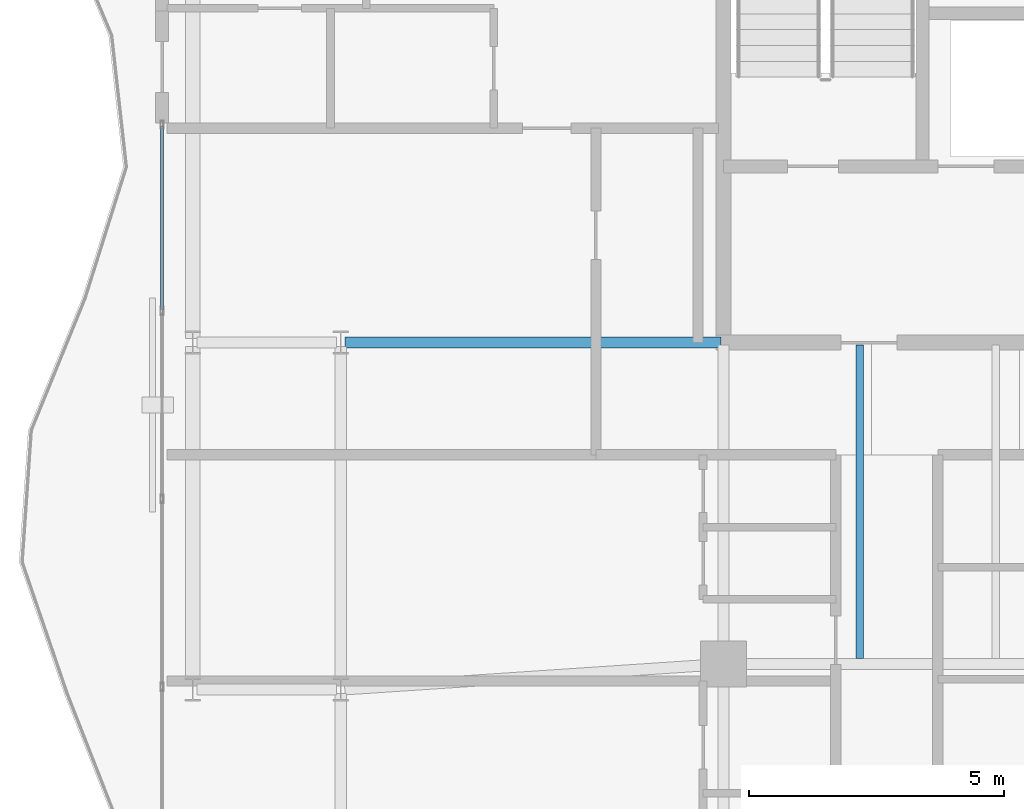
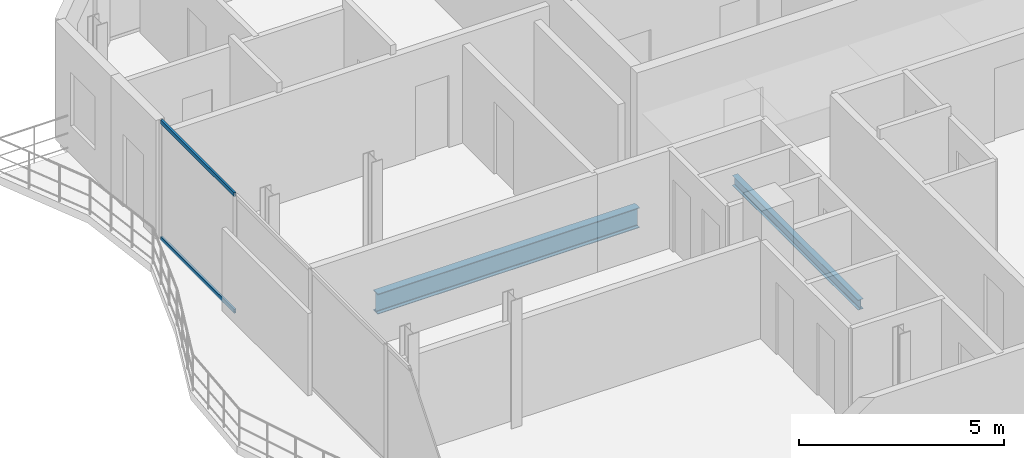
# One storey, part 11 of 22: 2 beams, 2 members, 1 element without a shape of its own.
"""IFC4 building model written with IfcOpenShell, lengths in metres."""

from ifc_helpers import new_model, si_unit, direction, frame, origin, origin_2d, place, context, subcontext, project, spatial, hollow_rectangle, i_section, extrude, material, layer, layer_set, material_profile, profile_set, type_object, element, aggregate, save


model = new_model("IFC4")

# Units and contexts
model_context = context("Model", 3, precision=1e-05, world=origin(), true_north=direction((0.0, 1.0)))
body_context = subcontext(model_context, "Body", "Model", "MODEL_VIEW")
ifc_project = project(units=[si_unit("LENGTHUNIT", "METRE"), si_unit("AREAUNIT", "SQUARE_METRE"), si_unit("VOLUMEUNIT", "CUBIC_METRE"), si_unit("PLANEANGLEUNIT", "RADIAN"), si_unit("MASSUNIT", "GRAM", prefix="KILO")], contexts=[model_context])

# Site, building, storey
site_placement = place(None, origin())
site = spatial("IfcSite", under=ifc_project, at=site_placement, CompositionType="ELEMENT")
building_placement = place(site_placement, origin())
building = spatial("IfcBuilding", under=site, at=building_placement, Name="Catumbela Crestline Tower", CompositionType="ELEMENT")
storey_placement = place(building_placement, frame((0.0, 0.0, 233.6)))
storey = spatial("IfcBuildingStorey", under=building, at=storey_placement, Name="L60", CompositionType="ELEMENT", Elevation=233.6)

# Beams
ifc_material_1 = material(Name="Structural steel S355J2", Category="steel")
ifc_material_profile_1 = material_profile(ifc_material_1, i_section(OverallWidth=0.22, OverallDepth=0.6, WebThickness=0.012, FlangeThickness=0.019, FilletRadius=0.024, at=origin_2d()), Name="IPE 600")
ifc_profile_set_1 = profile_set([ifc_material_profile_1], Name="Structural steel S355J2")
beam_type_1 = type_object("IfcBeamType", Name="BG-IPE600", PredefinedType="BEAM", material=ifc_profile_set_1)
beam_1_placement = place(storey_placement, frame((8.58, 30.8, -0.56), z_axis=(1.0, 0.0, 0.0), x_axis=(0.0, 1.0, 0.0)))
element("IfcBeam", 1, at=beam_1_placement, inside=storey, type_object=beam_type_1, Name="L60 Beam BM-L60-M07", PredefinedType="BEAM", context=body_context, shape_type="SweptSolid", body=[
    extrude(i_section(OverallWidth=0.22, OverallDepth=0.6, WebThickness=0.012, FlangeThickness=0.019, FilletRadius=0.024, at=origin_2d()), origin(), (0.0, 0.0, 1.0), 7.37),
])
ifc_material_profile_2 = material_profile(ifc_material_1, i_section(OverallWidth=0.15, OverallDepth=0.3, WebThickness=0.0071, FlangeThickness=0.0107, FilletRadius=0.015, at=origin_2d()), Name="IPE 300")
ifc_profile_set_2 = profile_set([ifc_material_profile_2], Name="Structural steel S355J2")
beam_type_2 = type_object("IfcBeamType", Name="BJ-IPE300", PredefinedType="JOIST", material=ifc_profile_set_2)
beam_2_placement = place(storey_placement, frame((18.667, 24.61, -0.41), z_axis=(0.0, 1.0, 0.0), x_axis=(-1.0, 0.0, 0.0)))
element("IfcBeam", 2, at=beam_2_placement, inside=storey, type_object=beam_type_2, Name="L60 Joist JS-L60-SP21", PredefinedType="JOIST", context=body_context, shape_type="SweptSolid", body=[
    extrude(i_section(OverallWidth=0.15, OverallDepth=0.3, WebThickness=0.0071, FlangeThickness=0.0107, FilletRadius=0.015, at=origin_2d()), origin(), (0.0, 0.0, 1.0), 6.14),
])

# Curtain wall, members
ifc_material_2 = material(Name="Aluminium alloy AW-6060-T66", Category="aluminium")
ifc_layer = layer(ifc_material_2, 0.18, Name="Aluminium alloy AW-6060-T66")
ifc_layer_set = layer_set([ifc_layer], Name="Aluminium alloy AW-6060-T66")
curtain_wall_type = type_object("IfcCurtainWallType", Name="CWU-Z4", PredefinedType="USERDEFINED", material=ifc_layer_set)
curtain_wall_placement = place(storey_placement, origin())
curtain_wall = element("IfcCurtainWall", 3, at=curtain_wall_placement, inside=storey, type_object=curtain_wall_type, Name="L60 Unitised Curtain Wall CW-L60-E9S2", ObjectType="UNITISED", PredefinedType="USERDEFINED")
ifc_material_profile_3 = material_profile(ifc_material_2, hollow_rectangle(XDim=0.06, YDim=0.12, WallThickness=0.0035, at=origin_2d()), Name="ALU 120x60x3.5")
ifc_profile_set_3 = profile_set([ifc_material_profile_3], Name="Aluminium alloy AW-6060-T66")
member_type = type_object("IfcMemberType", Name="TRN-120X60", PredefinedType="USERDEFINED", material=ifc_profile_set_3)
member_1_placement = place(storey_placement, frame((5.0, 35.035, 0.03), z_axis=(0.0, -1.0, 0.0), x_axis=(1.0, 0.0, 0.0)))
member_1 = element("IfcMember", 4, at=member_1_placement, type_object=member_type, Name="CWU-Z4 transom 1.1", ObjectType="TRANSOM", PredefinedType="USERDEFINED", context=body_context, shape_type="SweptSolid", body=[
    extrude(hollow_rectangle(XDim=0.06, YDim=0.12, WallThickness=0.0035, at=origin_2d()), origin(), (0.0, 0.0, 1.0), 3.5858),
])
member_2_placement = place(storey_placement, frame((5.0, 35.035, 3.5), z_axis=(0.0, -1.0, 0.0), x_axis=(1.0, 0.0, 0.0)))
member_2 = element("IfcMember", 5, at=member_2_placement, type_object=member_type, Name="CWU-Z4 transom 1.2", ObjectType="TRANSOM", PredefinedType="USERDEFINED", context=body_context, shape_type="SweptSolid", body=[
    extrude(hollow_rectangle(XDim=0.06, YDim=0.12, WallThickness=0.0035, at=origin_2d()), origin(), (0.0, 0.0, 1.0), 3.5858),
])
aggregate(curtain_wall, [member_1, member_2])

save(model, "model.ifc")
